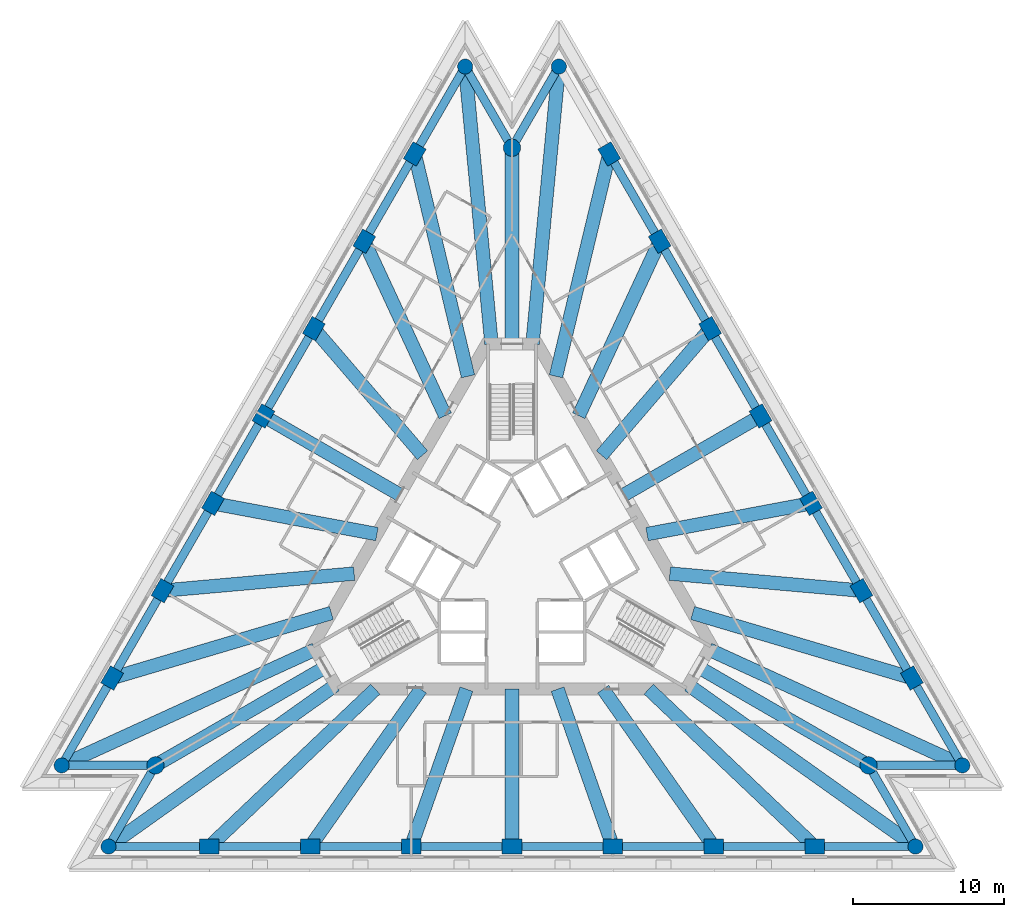
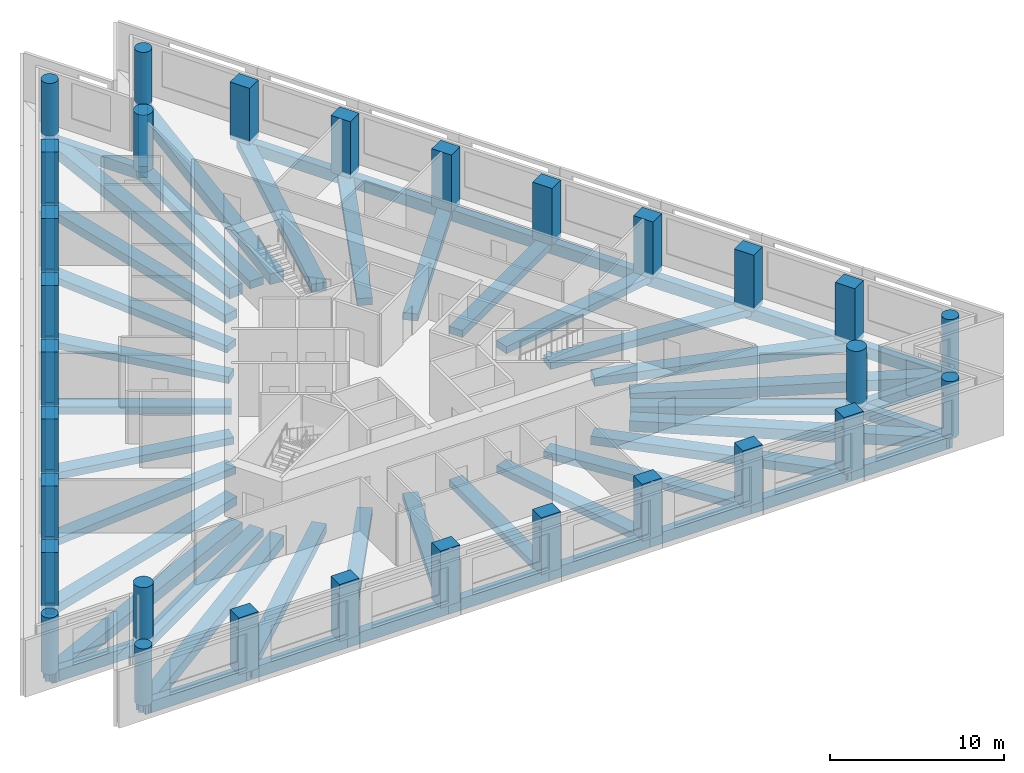
# One storey, part 1 of 9: 59 beams, 30 columns.
"""IFC4 building model written with IfcOpenShell, lengths in metres."""

from ifc_helpers import new_model, si_unit, direction, frame, origin, origin_2d, place, context, subcontext, project, spatial, rectangle, circle, extrude, material, material_profile, profile_set, type_object, element, save


model = new_model("IFC4")

# Units and contexts
model_context = context("Model", 3, precision=1e-05, world=origin(), true_north=direction((0.0, 1.0)))
body_context = subcontext(model_context, "Body", "Model", "MODEL_VIEW")
ifc_project = project(units=[si_unit("LENGTHUNIT", "METRE"), si_unit("AREAUNIT", "SQUARE_METRE"), si_unit("VOLUMEUNIT", "CUBIC_METRE"), si_unit("PLANEANGLEUNIT", "RADIAN"), si_unit("MASSUNIT", "GRAM", prefix="KILO")], contexts=[model_context])

# Site, building, storey
site_placement = place(None, origin())
site = spatial("IfcSite", under=ifc_project, at=site_placement, CompositionType="ELEMENT")
building_placement = place(site_placement, origin())
building = spatial("IfcBuilding", under=site, at=building_placement, Name="Triada Interchange Tower", CompositionType="ELEMENT")
storey_placement = place(building_placement, frame((0.0, 0.0, 144.300048828125)))
storey = spatial("IfcBuildingStorey", under=building, at=storey_placement, Name="L33", CompositionType="ELEMENT", Elevation=144.300048828125)

# Columns
ifc_material_1 = material(Name="Concrete C60/75", Category="concrete")
ifc_material_profile_1 = material_profile(ifc_material_1, rectangle(XDim=1.300048828125, YDim=1.0, at=origin_2d()), Name="RC 1300x1000")
ifc_profile_set_1 = profile_set([ifc_material_profile_1], Name="Concrete C60/75")
column_type_1 = type_object("IfcColumnType", Name="Column B face RC 1300x1000", PredefinedType="COLUMN", material=ifc_profile_set_1)
for number, where, z_axis, x_axis, name in (
    (1, (-6.452880859375, 26.89990234375, -0.300048828125), (0.0, 0.0, 1.0), (0.5, 0.866025403784, 0.0), "Column CB02 L33"),
    (2, (-9.798095703125, 21.10693359375, -0.300048828125), (0.0, 0.0, 1.0), (0.5, 0.866025403784, 0.0), "Column CB03 L33"),
    (3, (-13.14306640625, 15.31298828125, -0.300048828125), (0.0, 0.0, 1.0), (0.5, 0.866025403784, 0.0), "Column CB04 L33"),
    (4, (-16.488037109375, 9.52001953125, -0.300048828125), (0.0, 0.0, 1.0), (0.5, 0.866025403784, 0.0), "Column CB05 L33"),
    (5, (-19.8330078125, 3.72607421875, -0.300048828125), (0.0, 0.0, 1.0), (0.5, 0.866025403784, 0.0), "Column CB06 L33"),
    (6, (-23.177978515625, -2.068115234375, -0.300048828125), (0.0, 0.0, 1.0), (0.5, 0.866025403784, 0.0), "Column CB07 L33"),
    (7, (-26.52294921875, -7.861083984375, -0.300048828125), (0.0, 0.0, 1.0), (0.5, 0.866025403784, 0.0), "Column CB08 L33"),
    (8, (-20.070068359375, -19.0390625, -0.300048828125), (0.0, 0.0, 1.0), (1.0, 0.0, 0.0), "Column CB11 L33"),
    (9, (-13.3798828125, -19.0390625, -0.300048828125), (0.0, 0.0, 1.0), (1.0, 0.0, 0.0), "Column CB12 L33"),
    (10, (-6.68994140625, -19.0390625, -0.300048828125), (0.0, 0.0, 1.0), (1.0, 0.0, 0.0), "Column CB13 L33"),
    (11, (0.0, -19.0390625, -0.300048828125), (0.0, 0.0, 1.0), (1.0, 0.0, 0.0), "Column CB14 L33"),
    (12, (6.68994140625, -19.0390625, -0.300048828125), (0.0, 0.0, 1.0), (1.0, 0.0, 0.0), "Column CB15 L33"),
    (13, (13.3798828125, -19.0390625, -0.300048828125), (0.0, 0.0, 1.0), (1.0, 0.0, 0.0), "Column CB16 L33"),
    (14, (20.070068359375, -19.0390625, -0.300048828125), (0.0, 0.0, 1.0), (1.0, 0.0, 0.0), "Column CB17 L33"),
    (15, (26.52294921875, -7.861083984375, -0.300048828125), (0.0, 0.0, 1.0), (-0.5, 0.866025403784, 0.0), "Column CB20 L33"),
    (16, (23.177978515625, -2.068115234375, -0.300048828125), (0.0, 0.0, 1.0), (-0.5, 0.866025403784, 0.0), "Column CB21 L33"),
    (17, (19.8330078125, 3.72607421875, -0.300048828125), (0.0, 0.0, 1.0), (-0.5, 0.866025403784, 0.0), "Column CB22 L33"),
    (18, (16.488037109375, 9.52001953125, -0.300048828125), (0.0, 0.0, 1.0), (-0.5, 0.866025403784, 0.0), "Column CB23 L33"),
    (19, (13.14306640625, 15.31298828125, -0.300048828125), (0.0, 0.0, 1.0), (-0.5, 0.866025403784, 0.0), "Column CB24 L33"),
    (20, (9.798095703125, 21.10693359375, -0.300048828125), (0.0, 0.0, 1.0), (-0.5, 0.866025403784, 0.0), "Column CB25 L33"),
    (21, (6.452880859375, 26.89990234375, -0.300048828125), (0.0, 0.0, 1.0), (-0.5, 0.866025403784, 0.0), "Column CB26 L33"),
):
    element("IfcColumn", number, at=place(storey_placement, frame(where, z_axis=z_axis, x_axis=x_axis)), inside=storey, type_object=column_type_1, Name=name, PredefinedType="COLUMN", context=body_context, shape_type="SweptSolid", body=[
        extrude(rectangle(XDim=1.300048828125, YDim=1.0, at=origin_2d()), origin(), (0.0, 0.0, 1.0), 4.0),
    ])
ifc_material_profile_2 = material_profile(ifc_material_1, circle(Radius=0.5, at=origin_2d()), Name="RC D1000")
ifc_profile_set_2 = profile_set([ifc_material_profile_2], Name="Concrete C60/75")
column_type_2 = type_object("IfcColumnType", Name="End column B RC D1000", PredefinedType="COLUMN", material=ifc_profile_set_2)
for number, where, z_axis, x_axis, name in (
    (22, (-3.10791015625, 32.694091796875, -0.300048828125), (0.0, 0.0, 1.0), (0.5, 0.866025403784, 0.0), "Column CB01 L33"),
    (23, (-29.867919921875, -13.655029296875, -0.300048828125), (0.0, 0.0, 1.0), (0.5, 0.866025403784, 0.0), "Column CB09 L33"),
    (24, (-26.760009765625, -19.0390625, -0.300048828125), (0.0, 0.0, 1.0), (1.0, 0.0, 0.0), "Column CB10 L33"),
    (25, (26.760009765625, -19.0390625, -0.300048828125), (0.0, 0.0, 1.0), (1.0, 0.0, 0.0), "Column CB18 L33"),
    (26, (29.867919921875, -13.655029296875, -0.300048828125), (0.0, 0.0, 1.0), (-0.5, 0.866025403784, 0.0), "Column CB19 L33"),
    (27, (3.10791015625, 32.694091796875, -0.300048828125), (0.0, 0.0, 1.0), (-0.5, 0.866025403784, 0.0), "Column CB27 L33"),
):
    element("IfcColumn", number, at=place(storey_placement, frame(where, z_axis=z_axis, x_axis=x_axis)), inside=storey, type_object=column_type_2, Name=name, PredefinedType="COLUMN", context=body_context, shape_type="SweptSolid", body=[
        extrude(circle(Radius=0.5, at=origin_2d()), origin(), (0.0, 0.0, 1.0), 4.0),
    ])
ifc_material_profile_3 = material_profile(ifc_material_1, circle(Radius=0.574951171875, at=origin_2d()), Name="RC D1150")
ifc_profile_set_3 = profile_set([ifc_material_profile_3], Name="Concrete C60/75")
column_type_3 = type_object("IfcColumnType", Name="Mega column B RC D1150", PredefinedType="COLUMN", material=ifc_profile_set_3)
for number, where, z_axis, x_axis, name in (
    (28, (0.0, 27.31103515625, -0.300048828125), (0.0, 0.0, 1.0), (1.0, 0.0, 0.0), "Column MB1 L33"),
    (29, (-23.652099609375, -13.655029296875, -0.300048828125), (0.0, 0.0, 1.0), (1.0, 0.0, 0.0), "Column MB2 L33"),
    (30, (23.652099609375, -13.655029296875, -0.300048828125), (0.0, 0.0, 1.0), (1.0, 0.0, 0.0), "Column MB3 L33"),
):
    element("IfcColumn", number, at=place(storey_placement, frame(where, z_axis=z_axis, x_axis=x_axis)), inside=storey, type_object=column_type_3, Name=name, PredefinedType="COLUMN", context=body_context, shape_type="SweptSolid", body=[
        extrude(circle(Radius=0.574951171875, at=origin_2d()), origin(), (0.0, 0.0, 1.0), 4.0),
    ])

# Beams
ifc_material_2 = material(Name="Concrete C50/60", Category="concrete")
ifc_material_profile_4 = material_profile(ifc_material_2, rectangle(XDim=0.89990234375, YDim=0.5, at=origin_2d()), Name="RC 900x500")
ifc_profile_set_4 = profile_set([ifc_material_profile_4], Name="Concrete C50/60")
beam_type_1 = type_object("IfcBeamType", Name="Radial band beam B RC 900x500", PredefinedType="BEAM", material=ifc_profile_set_4)
beam_1_placement = place(storey_placement, frame((-9.798095703125, 21.10693359375, -0.550048828125), z_axis=(0.421039906422, -0.907042114348, 0.0), x_axis=(0.907042114348, 0.421039906422, 0.0)))
element("IfcBeam", 31, at=beam_1_placement, inside=storey, type_object=beam_type_1, Name="Radial band beam BB03 L33", PredefinedType="BEAM", context=body_context, shape_type="SweptSolid", body=[
    extrude(rectangle(XDim=0.89990234375, YDim=0.5, at=origin_2d()), origin(), (0.0, 0.0, 1.0), 12.759033203125),
])
beam_2_placement = place(storey_placement, frame((-13.14306640625, 15.31298828125, -0.550048828125), z_axis=(0.651285502913, -0.758832783751, 0.0), x_axis=(0.758832783751, 0.651285502913, 0.0)))
element("IfcBeam", 32, at=beam_2_placement, inside=storey, type_object=beam_type_1, Name="Radial band beam BB04 L33", PredefinedType="BEAM", context=body_context, shape_type="SweptSolid", body=[
    extrude(rectangle(XDim=0.89990234375, YDim=0.5, at=origin_2d()), origin(), (0.0, 0.0, 1.0), 11.064453125),
])
beam_3_placement = place(storey_placement, frame((-16.488037109375, 9.52001953125, -0.550048828125), z_axis=(0.86601968407, -0.500009906705, 0.0), x_axis=(0.500009906705, 0.86601968407, 0.0)))
element("IfcBeam", 33, at=beam_3_placement, inside=storey, type_object=beam_type_1, Name="Radial band beam BB05 L33", PredefinedType="BEAM", context=body_context, shape_type="SweptSolid", body=[
    extrude(rectangle(XDim=0.89990234375, YDim=0.5, at=origin_2d()), origin(), (0.0, 0.0, 1.0), 10.439697265625),
])
beam_4_placement = place(storey_placement, frame((-19.8330078125, 3.72607421875, -0.550048828125), z_axis=(0.982808184492, -0.184629554773, 0.0), x_axis=(0.184629554773, 0.982808184492, 0.0)))
element("IfcBeam", 34, at=beam_4_placement, inside=storey, type_object=beam_type_1, Name="Radial band beam BB06 L33", PredefinedType="BEAM", context=body_context, shape_type="SweptSolid", body=[
    extrude(rectangle(XDim=0.89990234375, YDim=0.5, at=origin_2d()), origin(), (0.0, 0.0, 1.0), 11.065185546875),
])
beam_5_placement = place(storey_placement, frame((-23.177978515625, -2.068115234375, -0.550048828125), z_axis=(0.996042546371, 0.088877701473, 0.0), x_axis=(-0.088877701473, 0.996042546371, 0.0)))
element("IfcBeam", 35, at=beam_5_placement, inside=storey, type_object=beam_type_1, Name="Radial band beam BB07 L33", PredefinedType="BEAM", context=body_context, shape_type="SweptSolid", body=[
    extrude(rectangle(XDim=0.89990234375, YDim=0.5, at=origin_2d()), origin(), (0.0, 0.0, 1.0), 12.759521484375),
])
beam_6_placement = place(storey_placement, frame((-13.3798828125, -19.0390625, -0.550048828125), z_axis=(0.574969058631, 0.818175153386, 0.0), x_axis=(-0.818175153386, 0.574969058631, 0.0)))
element("IfcBeam", 36, at=beam_6_placement, inside=storey, type_object=beam_type_1, Name="Radial band beam BB13 L33", PredefinedType="BEAM", context=body_context, shape_type="SweptSolid", body=[
    extrude(rectangle(XDim=0.89990234375, YDim=0.5, at=origin_2d()), origin(), (0.0, 0.0, 1.0), 12.7587890625),
])
beam_7_placement = place(storey_placement, frame((-6.68994140625, -19.0390625, -0.550048828125), z_axis=(0.331504042889, 0.943453798312, 0.0), x_axis=(-0.943453798312, 0.331504042889, 0.0)))
element("IfcBeam", 37, at=beam_7_placement, inside=storey, type_object=beam_type_1, Name="Radial band beam BB14 L33", PredefinedType="BEAM", context=body_context, shape_type="SweptSolid", body=[
    extrude(rectangle(XDim=0.89990234375, YDim=0.5, at=origin_2d()), origin(), (0.0, 0.0, 1.0), 11.064697265625),
])
beam_8_placement = place(storey_placement, frame((0.0, -19.0390625, -0.550048828125), z_axis=(0.0, 1.0, 0.0), x_axis=(-1.0, 0.0, 0.0)))
element("IfcBeam", 38, at=beam_8_placement, inside=storey, type_object=beam_type_1, Name="Radial band beam BB15 L33", PredefinedType="BEAM", context=body_context, shape_type="SweptSolid", body=[
    extrude(rectangle(XDim=0.89990234375, YDim=0.5, at=origin_2d()), origin(), (0.0, 0.0, 1.0), 10.43896484375),
])
beam_9_placement = place(storey_placement, frame((6.68994140625, -19.0390625, -0.550048828125), z_axis=(-0.331504042889, 0.943453798312, 0.0), x_axis=(-0.943453798312, -0.331504042889, 0.0)))
element("IfcBeam", 39, at=beam_9_placement, inside=storey, type_object=beam_type_1, Name="Radial band beam BB16 L33", PredefinedType="BEAM", context=body_context, shape_type="SweptSolid", body=[
    extrude(rectangle(XDim=0.89990234375, YDim=0.5, at=origin_2d()), origin(), (0.0, 0.0, 1.0), 11.064697265625),
])
beam_10_placement = place(storey_placement, frame((13.3798828125, -19.0390625, -0.550048828125), z_axis=(-0.574969058631, 0.818175153386, 0.0), x_axis=(-0.818175153386, -0.574969058631, 0.0)))
element("IfcBeam", 40, at=beam_10_placement, inside=storey, type_object=beam_type_1, Name="Radial band beam BB17 L33", PredefinedType="BEAM", context=body_context, shape_type="SweptSolid", body=[
    extrude(rectangle(XDim=0.89990234375, YDim=0.5, at=origin_2d()), origin(), (0.0, 0.0, 1.0), 12.7587890625),
])
beam_11_placement = place(storey_placement, frame((23.177978515625, -2.068115234375, -0.550048828125), z_axis=(-0.996042546371, 0.088877701473, 0.0), x_axis=(-0.088877701473, -0.996042546371, 0.0)))
element("IfcBeam", 41, at=beam_11_placement, inside=storey, type_object=beam_type_1, Name="Radial band beam BB23 L33", PredefinedType="BEAM", context=body_context, shape_type="SweptSolid", body=[
    extrude(rectangle(XDim=0.89990234375, YDim=0.5, at=origin_2d()), origin(), (0.0, 0.0, 1.0), 12.759521484375),
])
beam_12_placement = place(storey_placement, frame((19.8330078125, 3.72607421875, -0.550048828125), z_axis=(-0.982808184492, -0.184629554773, 0.0), x_axis=(0.184629554773, -0.982808184492, 0.0)))
element("IfcBeam", 42, at=beam_12_placement, inside=storey, type_object=beam_type_1, Name="Radial band beam BB24 L33", PredefinedType="BEAM", context=body_context, shape_type="SweptSolid", body=[
    extrude(rectangle(XDim=0.89990234375, YDim=0.5, at=origin_2d()), origin(), (0.0, 0.0, 1.0), 11.065185546875),
])
beam_13_placement = place(storey_placement, frame((16.488037109375, 9.52001953125, -0.550048828125), z_axis=(-0.86601968407, -0.500009906705, 0.0), x_axis=(0.500009906705, -0.86601968407, 0.0)))
element("IfcBeam", 43, at=beam_13_placement, inside=storey, type_object=beam_type_1, Name="Radial band beam BB25 L33", PredefinedType="BEAM", context=body_context, shape_type="SweptSolid", body=[
    extrude(rectangle(XDim=0.89990234375, YDim=0.5, at=origin_2d()), origin(), (0.0, 0.0, 1.0), 10.439697265625),
])
beam_14_placement = place(storey_placement, frame((13.14306640625, 15.31298828125, -0.550048828125), z_axis=(-0.651285502913, -0.758832783751, 0.0), x_axis=(0.758832783751, -0.651285502913, 0.0)))
element("IfcBeam", 44, at=beam_14_placement, inside=storey, type_object=beam_type_1, Name="Radial band beam BB26 L33", PredefinedType="BEAM", context=body_context, shape_type="SweptSolid", body=[
    extrude(rectangle(XDim=0.89990234375, YDim=0.5, at=origin_2d()), origin(), (0.0, 0.0, 1.0), 11.064453125),
])
beam_15_placement = place(storey_placement, frame((9.798095703125, 21.10693359375, -0.550048828125), z_axis=(-0.421039906422, -0.907042114348, 0.0), x_axis=(0.907042114348, -0.421039906422, 0.0)))
element("IfcBeam", 45, at=beam_15_placement, inside=storey, type_object=beam_type_1, Name="Radial band beam BB27 L33", PredefinedType="BEAM", context=body_context, shape_type="SweptSolid", body=[
    extrude(rectangle(XDim=0.89990234375, YDim=0.5, at=origin_2d()), origin(), (0.0, 0.0, 1.0), 12.759033203125),
])
ifc_material_profile_5 = material_profile(ifc_material_2, rectangle(XDim=0.89990234375, YDim=0.550048828125, at=origin_2d()), Name="RC 900x550")
ifc_profile_set_5 = profile_set([ifc_material_profile_5], Name="Concrete C50/60")
beam_type_2 = type_object("IfcBeamType", Name="Radial band beam B RC 900x550", PredefinedType="BEAM", material=ifc_profile_set_5)
for number, where, z_axis, x_axis, name in (
    (46, (-23.652099609375, -13.655029296875, -0.574951171875), (0.866041851207, 0.499971511146, 0.0), (-0.499971511146, 0.866041851207, 0.0), "Radial band beam BB10 L33"),
    (47, (23.652099609375, -13.655029296875, -0.574951171875), (-0.866041851207, 0.499971511146, 0.0), (-0.499971511146, -0.866041851207, 0.0), "Radial band beam BB20 L33"),
    (48, (0.0, 27.31103515625, -0.574951171875), (0.0, -1.0, 0.0), (1.0, 0.0, 0.0), "Radial band beam BB30 L33"),
):
    element("IfcBeam", number, at=place(storey_placement, frame(where, z_axis=z_axis, x_axis=x_axis)), inside=storey, type_object=beam_type_2, Name=name, PredefinedType="BEAM", context=body_context, shape_type="SweptSolid", body=[
        extrude(rectangle(XDim=0.89990234375, YDim=0.550048828125, at=origin_2d()), origin(), (0.0, 0.0, 1.0), 13.010986328125),
    ])
ifc_material_profile_6 = material_profile(ifc_material_2, rectangle(XDim=0.89990234375, YDim=0.60009765625, at=origin_2d()), Name="RC 900x600")
ifc_profile_set_6 = profile_set([ifc_material_profile_6], Name="Concrete C50/60")
beam_type_3 = type_object("IfcBeamType", Name="Radial band beam B RC 900x600", PredefinedType="BEAM", material=ifc_profile_set_6)
beam_16_placement = place(storey_placement, frame((-6.452880859375, 26.89990234375, -0.60009765625), z_axis=(0.233253019082, -0.972416078173, 0.0), x_axis=(0.972416078173, 0.233253019082, 0.0)))
element("IfcBeam", 49, at=beam_16_placement, inside=storey, type_object=beam_type_3, Name="Radial band beam BB02 L33", PredefinedType="BEAM", context=body_context, shape_type="SweptSolid", body=[
    extrude(rectangle(XDim=0.89990234375, YDim=0.60009765625, at=origin_2d()), origin(), (0.0, 0.0, 1.0), 15.16748046875),
])
beam_17_placement = place(storey_placement, frame((-26.52294921875, -7.861083984375, -0.60009765625), z_axis=(0.958779599778, 0.284150803359, 0.0), x_axis=(-0.284150803359, 0.958779599778, 0.0)))
element("IfcBeam", 50, at=beam_17_placement, inside=storey, type_object=beam_type_3, Name="Radial band beam BB08 L33", PredefinedType="BEAM", context=body_context, shape_type="SweptSolid", body=[
    extrude(rectangle(XDim=0.89990234375, YDim=0.60009765625, at=origin_2d()), origin(), (0.0, 0.0, 1.0), 15.168212890625),
])
for number, where, z_axis, x_axis, name in (
    (51, (-20.070068359375, -19.0390625, -0.60009765625), (0.725492341972, 0.688230238902, 0.0), (-0.688230238902, 0.725492341972, 0.0), "Radial band beam BB12 L33"),
    (52, (20.070068359375, -19.0390625, -0.60009765625), (-0.725492341972, 0.688230238902, 0.0), (-0.688230238902, -0.725492341972, 0.0), "Radial band beam BB18 L33"),
):
    element("IfcBeam", number, at=place(storey_placement, frame(where, z_axis=z_axis, x_axis=x_axis)), inside=storey, type_object=beam_type_3, Name=name, PredefinedType="BEAM", context=body_context, shape_type="SweptSolid", body=[
        extrude(rectangle(XDim=0.89990234375, YDim=0.60009765625, at=origin_2d()), origin(), (0.0, 0.0, 1.0), 15.167724609375),
    ])
beam_18_placement = place(storey_placement, frame((26.52294921875, -7.861083984375, -0.60009765625), z_axis=(-0.958779599778, 0.284150803359, 0.0), x_axis=(-0.284150803359, -0.958779599778, 0.0)))
element("IfcBeam", 53, at=beam_18_placement, inside=storey, type_object=beam_type_3, Name="Radial band beam BB22 L33", PredefinedType="BEAM", context=body_context, shape_type="SweptSolid", body=[
    extrude(rectangle(XDim=0.89990234375, YDim=0.60009765625, at=origin_2d()), origin(), (0.0, 0.0, 1.0), 15.168212890625),
])
beam_19_placement = place(storey_placement, frame((6.452880859375, 26.89990234375, -0.60009765625), z_axis=(-0.233253019082, -0.972416078173, 0.0), x_axis=(0.972416078173, -0.233253019082, 0.0)))
element("IfcBeam", 54, at=beam_19_placement, inside=storey, type_object=beam_type_3, Name="Radial band beam BB28 L33", PredefinedType="BEAM", context=body_context, shape_type="SweptSolid", body=[
    extrude(rectangle(XDim=0.89990234375, YDim=0.60009765625, at=origin_2d()), origin(), (0.0, 0.0, 1.0), 15.16748046875),
])
ifc_material_profile_7 = material_profile(ifc_material_2, rectangle(XDim=0.89990234375, YDim=0.75, at=origin_2d()), Name="RC 900x750")
ifc_profile_set_7 = profile_set([ifc_material_profile_7], Name="Concrete C50/60")
beam_type_4 = type_object("IfcBeamType", Name="Radial band beam B RC 900x750", PredefinedType="BEAM", material=ifc_profile_set_7)
for number, where, z_axis, x_axis, name in (
    (55, (-3.10791015625, 32.694091796875, -0.675048828125), (0.094659440812, -0.995509713798, 0.0), (0.995509713798, 0.094659440812, 0.0), "Radial band beam BB01 L33"),
    (56, (-29.867919921875, -13.655029296875, -0.675048828125), (0.909447922526, 0.415817840182, 0.0), (-0.415817840182, 0.909447922526, 0.0), "Radial band beam BB09 L33"),
):
    element("IfcBeam", number, at=place(storey_placement, frame(where, z_axis=z_axis, x_axis=x_axis)), inside=storey, type_object=beam_type_4, Name=name, PredefinedType="BEAM", context=body_context, shape_type="SweptSolid", body=[
        extrude(rectangle(XDim=0.89990234375, YDim=0.75, at=origin_2d()), origin(), (0.0, 0.0, 1.0), 18.47705078125),
    ])
for number, where, z_axis, x_axis, name in (
    (57, (-26.760009765625, -19.0390625, -0.675048828125), (0.814808724717, 0.579729887211, 0.0), (-0.579729887211, 0.814808724717, 0.0), "Radial band beam BB11 L33"),
    (58, (26.760009765625, -19.0390625, -0.675048828125), (-0.814808724717, 0.579729887211, 0.0), (-0.579729887211, -0.814808724717, 0.0), "Radial band beam BB19 L33"),
):
    element("IfcBeam", number, at=place(storey_placement, frame(where, z_axis=z_axis, x_axis=x_axis)), inside=storey, type_object=beam_type_4, Name=name, PredefinedType="BEAM", context=body_context, shape_type="SweptSolid", body=[
        extrude(rectangle(XDim=0.89990234375, YDim=0.75, at=origin_2d()), origin(), (0.0, 0.0, 1.0), 18.477783203125),
    ])
for number, where, z_axis, x_axis, name in (
    (59, (29.867919921875, -13.655029296875, -0.675048828125), (-0.909447922526, 0.415817840182, 0.0), (-0.415817840182, -0.909447922526, 0.0), "Radial band beam BB21 L33"),
    (60, (3.10791015625, 32.694091796875, -0.675048828125), (-0.094659440812, -0.995509713798, 0.0), (0.995509713798, -0.094659440812, 0.0), "Radial band beam BB29 L33"),
):
    element("IfcBeam", number, at=place(storey_placement, frame(where, z_axis=z_axis, x_axis=x_axis)), inside=storey, type_object=beam_type_4, Name=name, PredefinedType="BEAM", context=body_context, shape_type="SweptSolid", body=[
        extrude(rectangle(XDim=0.89990234375, YDim=0.75, at=origin_2d()), origin(), (0.0, 0.0, 1.0), 18.47705078125),
    ])
ifc_material_profile_8 = material_profile(ifc_material_2, rectangle(XDim=0.550048828125, YDim=0.800048828125, at=origin_2d()), Name="RC 550x800")
ifc_profile_set_8 = profile_set([ifc_material_profile_8], Name="Concrete C50/60")
beam_type_5 = type_object("IfcBeamType", Name="Spandrel beam B RC 550x800", PredefinedType="BEAM", material=ifc_profile_set_8)
beam_20_placement = place(storey_placement, frame((-3.10791015625, 32.694091796875, -0.699951171875), z_axis=(-0.499965681329, -0.866045216772, 0.0), x_axis=(0.866045216772, -0.499965681329, 0.0)))
element("IfcBeam", 61, at=beam_20_placement, inside=storey, type_object=beam_type_5, Name="Spandrel beam EB01 L33", PredefinedType="BEAM", context=body_context, shape_type="SweptSolid", body=[
    extrude(rectangle(XDim=0.550048828125, YDim=0.800048828125, at=origin_2d()), origin(), (0.0, 0.0, 1.0), 6.6904296875),
])
beam_21_placement = place(storey_placement, frame((-6.452880859375, 26.89990234375, -0.699951171875), z_axis=(-0.500072064175, -0.865983793516, 0.0), x_axis=(0.865983793516, -0.500072064175, 0.0)))
element("IfcBeam", 62, at=beam_21_placement, inside=storey, type_object=beam_type_5, Name="Spandrel beam EB02 L33", PredefinedType="BEAM", context=body_context, shape_type="SweptSolid", body=[
    extrude(rectangle(XDim=0.550048828125, YDim=0.800048828125, at=origin_2d()), origin(), (0.0, 0.0, 1.0), 6.689453125),
])
beam_22_placement = place(storey_placement, frame((-9.798095703125, 21.10693359375, -0.699951171875), z_axis=(-0.499981482168, -0.866036094796, 0.0), x_axis=(0.866036094796, -0.499981482168, 0.0)))
element("IfcBeam", 63, at=beam_22_placement, inside=storey, type_object=beam_type_5, Name="Spandrel beam EB03 L33", PredefinedType="BEAM", context=body_context, shape_type="SweptSolid", body=[
    extrude(rectangle(XDim=0.550048828125, YDim=0.800048828125, at=origin_2d()), origin(), (0.0, 0.0, 1.0), 6.690185546875),
])
beam_23_placement = place(storey_placement, frame((-13.14306640625, 15.31298828125, -0.699951171875), z_axis=(-0.500044693844, -0.865999598244, 0.0), x_axis=(0.865999598244, -0.500044693844, 0.0)))
element("IfcBeam", 64, at=beam_23_placement, inside=storey, type_object=beam_type_5, Name="Spandrel beam EB04 L33", PredefinedType="BEAM", context=body_context, shape_type="SweptSolid", body=[
    extrude(rectangle(XDim=0.550048828125, YDim=0.800048828125, at=origin_2d()), origin(), (0.0, 0.0, 1.0), 6.689453125),
])
beam_24_placement = place(storey_placement, frame((-16.488037109375, 9.52001953125, -0.699951171875), z_axis=(-0.499981482168, -0.866036094796, 0.0), x_axis=(0.866036094796, -0.499981482168, 0.0)))
element("IfcBeam", 65, at=beam_24_placement, inside=storey, type_object=beam_type_5, Name="Spandrel beam EB05 L33", PredefinedType="BEAM", context=body_context, shape_type="SweptSolid", body=[
    extrude(rectangle(XDim=0.550048828125, YDim=0.800048828125, at=origin_2d()), origin(), (0.0, 0.0, 1.0), 6.690185546875),
])
beam_25_placement = place(storey_placement, frame((-19.8330078125, 3.72607421875, -0.699951171875), z_axis=(-0.499965681329, -0.866045216772, 0.0), x_axis=(0.866045216772, -0.499965681329, 0.0)))
element("IfcBeam", 66, at=beam_25_placement, inside=storey, type_object=beam_type_5, Name="Spandrel beam EB06 L33", PredefinedType="BEAM", context=body_context, shape_type="SweptSolid", body=[
    extrude(rectangle(XDim=0.550048828125, YDim=0.800048828125, at=origin_2d()), origin(), (0.0, 0.0, 1.0), 6.6904296875),
])
beam_26_placement = place(storey_placement, frame((-23.177978515625, -2.068115234375, -0.699951171875), z_axis=(-0.500044693844, -0.865999598244, 0.0), x_axis=(0.865999598244, -0.500044693844, 0.0)))
element("IfcBeam", 67, at=beam_26_placement, inside=storey, type_object=beam_type_5, Name="Spandrel beam EB07 L33", PredefinedType="BEAM", context=body_context, shape_type="SweptSolid", body=[
    extrude(rectangle(XDim=0.550048828125, YDim=0.800048828125, at=origin_2d()), origin(), (0.0, 0.0, 1.0), 6.689453125),
])
beam_27_placement = place(storey_placement, frame((-26.52294921875, -7.861083984375, -0.699951171875), z_axis=(-0.499981482168, -0.866036094796, 0.0), x_axis=(0.866036094796, -0.499981482168, 0.0)))
element("IfcBeam", 68, at=beam_27_placement, inside=storey, type_object=beam_type_5, Name="Spandrel beam EB08 L33", PredefinedType="BEAM", context=body_context, shape_type="SweptSolid", body=[
    extrude(rectangle(XDim=0.550048828125, YDim=0.800048828125, at=origin_2d()), origin(), (0.0, 0.0, 1.0), 6.690185546875),
])
beam_28_placement = place(storey_placement, frame((-29.867919921875, -13.655029296875, -0.699951171875), z_axis=(1.0, 0.0, 0.0), x_axis=(0.0, 1.0, 0.0)))
element("IfcBeam", 69, at=beam_28_placement, inside=storey, type_object=beam_type_5, Name="Spandrel beam EB09 L33", PredefinedType="BEAM", context=body_context, shape_type="SweptSolid", body=[
    extrude(rectangle(XDim=0.550048828125, YDim=0.800048828125, at=origin_2d()), origin(), (0.0, 0.0, 1.0), 6.2158203125),
])
beam_29_placement = place(storey_placement, frame((-23.652099609375, -13.655029296875, -0.699951171875), z_axis=(-0.499932092729, -0.866064606516, 0.0), x_axis=(0.866064606516, -0.499932092729, 0.0)))
element("IfcBeam", 70, at=beam_29_placement, inside=storey, type_object=beam_type_5, Name="Spandrel beam EB10 L33", PredefinedType="BEAM", context=body_context, shape_type="SweptSolid", body=[
    extrude(rectangle(XDim=0.550048828125, YDim=0.800048828125, at=origin_2d()), origin(), (0.0, 0.0, 1.0), 6.216552734375),
])
beam_30_placement = place(storey_placement, frame((-26.760009765625, -19.0390625, -0.699951171875), z_axis=(1.0, 0.0, 0.0), x_axis=(0.0, 1.0, 0.0)))
element("IfcBeam", 71, at=beam_30_placement, inside=storey, type_object=beam_type_5, Name="Spandrel beam EB11 L33", PredefinedType="BEAM", context=body_context, shape_type="SweptSolid", body=[
    extrude(rectangle(XDim=0.550048828125, YDim=0.800048828125, at=origin_2d()), origin(), (0.0, 0.0, 1.0), 6.68994140625),
])
beam_31_placement = place(storey_placement, frame((-20.070068359375, -19.0390625, -0.699951171875), z_axis=(1.0, 0.0, 0.0), x_axis=(0.0, 1.0, 0.0)))
element("IfcBeam", 72, at=beam_31_placement, inside=storey, type_object=beam_type_5, Name="Spandrel beam EB12 L33", PredefinedType="BEAM", context=body_context, shape_type="SweptSolid", body=[
    extrude(rectangle(XDim=0.550048828125, YDim=0.800048828125, at=origin_2d()), origin(), (0.0, 0.0, 1.0), 6.690185546875),
])
for number, where, z_axis, x_axis, name in (
    (73, (-13.3798828125, -19.0390625, -0.699951171875), (1.0, 0.0, 0.0), (0.0, 1.0, 0.0), "Spandrel beam EB13 L33"),
    (74, (-6.68994140625, -19.0390625, -0.699951171875), (1.0, 0.0, 0.0), (0.0, 1.0, 0.0), "Spandrel beam EB14 L33"),
    (75, (0.0, -19.0390625, -0.699951171875), (1.0, 0.0, 0.0), (0.0, 1.0, 0.0), "Spandrel beam EB15 L33"),
    (76, (6.68994140625, -19.0390625, -0.699951171875), (1.0, 0.0, 0.0), (0.0, 1.0, 0.0), "Spandrel beam EB16 L33"),
):
    element("IfcBeam", number, at=place(storey_placement, frame(where, z_axis=z_axis, x_axis=x_axis)), inside=storey, type_object=beam_type_5, Name=name, PredefinedType="BEAM", context=body_context, shape_type="SweptSolid", body=[
        extrude(rectangle(XDim=0.550048828125, YDim=0.800048828125, at=origin_2d()), origin(), (0.0, 0.0, 1.0), 6.68994140625),
    ])
beam_32_placement = place(storey_placement, frame((13.3798828125, -19.0390625, -0.699951171875), z_axis=(1.0, 0.0, 0.0), x_axis=(0.0, 1.0, 0.0)))
element("IfcBeam", 77, at=beam_32_placement, inside=storey, type_object=beam_type_5, Name="Spandrel beam EB17 L33", PredefinedType="BEAM", context=body_context, shape_type="SweptSolid", body=[
    extrude(rectangle(XDim=0.550048828125, YDim=0.800048828125, at=origin_2d()), origin(), (0.0, 0.0, 1.0), 6.690185546875),
])
beam_33_placement = place(storey_placement, frame((20.070068359375, -19.0390625, -0.699951171875), z_axis=(1.0, 0.0, 0.0), x_axis=(0.0, 1.0, 0.0)))
element("IfcBeam", 78, at=beam_33_placement, inside=storey, type_object=beam_type_5, Name="Spandrel beam EB18 L33", PredefinedType="BEAM", context=body_context, shape_type="SweptSolid", body=[
    extrude(rectangle(XDim=0.550048828125, YDim=0.800048828125, at=origin_2d()), origin(), (0.0, 0.0, 1.0), 6.68994140625),
])
beam_34_placement = place(storey_placement, frame((26.760009765625, -19.0390625, -0.699951171875), z_axis=(-0.499932092729, 0.866064606516, 0.0), x_axis=(-0.866064606516, -0.499932092729, 0.0)))
element("IfcBeam", 79, at=beam_34_placement, inside=storey, type_object=beam_type_5, Name="Spandrel beam EB19 L33", PredefinedType="BEAM", context=body_context, shape_type="SweptSolid", body=[
    extrude(rectangle(XDim=0.550048828125, YDim=0.800048828125, at=origin_2d()), origin(), (0.0, 0.0, 1.0), 6.216552734375),
])
beam_35_placement = place(storey_placement, frame((23.652099609375, -13.655029296875, -0.699951171875), z_axis=(1.0, 0.0, 0.0), x_axis=(0.0, 1.0, 0.0)))
element("IfcBeam", 80, at=beam_35_placement, inside=storey, type_object=beam_type_5, Name="Spandrel beam EB20 L33", PredefinedType="BEAM", context=body_context, shape_type="SweptSolid", body=[
    extrude(rectangle(XDim=0.550048828125, YDim=0.800048828125, at=origin_2d()), origin(), (0.0, 0.0, 1.0), 6.2158203125),
])
beam_36_placement = place(storey_placement, frame((29.867919921875, -13.655029296875, -0.699951171875), z_axis=(-0.499981482168, 0.866036094796, 0.0), x_axis=(-0.866036094796, -0.499981482168, 0.0)))
element("IfcBeam", 81, at=beam_36_placement, inside=storey, type_object=beam_type_5, Name="Spandrel beam EB21 L33", PredefinedType="BEAM", context=body_context, shape_type="SweptSolid", body=[
    extrude(rectangle(XDim=0.550048828125, YDim=0.800048828125, at=origin_2d()), origin(), (0.0, 0.0, 1.0), 6.690185546875),
])
beam_37_placement = place(storey_placement, frame((26.52294921875, -7.861083984375, -0.699951171875), z_axis=(-0.500044693844, 0.865999598244, 0.0), x_axis=(-0.865999598244, -0.500044693844, 0.0)))
element("IfcBeam", 82, at=beam_37_placement, inside=storey, type_object=beam_type_5, Name="Spandrel beam EB22 L33", PredefinedType="BEAM", context=body_context, shape_type="SweptSolid", body=[
    extrude(rectangle(XDim=0.550048828125, YDim=0.800048828125, at=origin_2d()), origin(), (0.0, 0.0, 1.0), 6.689453125),
])
beam_38_placement = place(storey_placement, frame((23.177978515625, -2.068115234375, -0.699951171875), z_axis=(-0.499965681329, 0.866045216772, 0.0), x_axis=(-0.866045216772, -0.499965681329, 0.0)))
element("IfcBeam", 83, at=beam_38_placement, inside=storey, type_object=beam_type_5, Name="Spandrel beam EB23 L33", PredefinedType="BEAM", context=body_context, shape_type="SweptSolid", body=[
    extrude(rectangle(XDim=0.550048828125, YDim=0.800048828125, at=origin_2d()), origin(), (0.0, 0.0, 1.0), 6.6904296875),
])
beam_39_placement = place(storey_placement, frame((19.8330078125, 3.72607421875, -0.699951171875), z_axis=(-0.499981482168, 0.866036094796, 0.0), x_axis=(-0.866036094796, -0.499981482168, 0.0)))
element("IfcBeam", 84, at=beam_39_placement, inside=storey, type_object=beam_type_5, Name="Spandrel beam EB24 L33", PredefinedType="BEAM", context=body_context, shape_type="SweptSolid", body=[
    extrude(rectangle(XDim=0.550048828125, YDim=0.800048828125, at=origin_2d()), origin(), (0.0, 0.0, 1.0), 6.690185546875),
])
beam_40_placement = place(storey_placement, frame((16.488037109375, 9.52001953125, -0.699951171875), z_axis=(-0.500044693844, 0.865999598244, 0.0), x_axis=(-0.865999598244, -0.500044693844, 0.0)))
element("IfcBeam", 85, at=beam_40_placement, inside=storey, type_object=beam_type_5, Name="Spandrel beam EB25 L33", PredefinedType="BEAM", context=body_context, shape_type="SweptSolid", body=[
    extrude(rectangle(XDim=0.550048828125, YDim=0.800048828125, at=origin_2d()), origin(), (0.0, 0.0, 1.0), 6.689453125),
])
beam_41_placement = place(storey_placement, frame((13.14306640625, 15.31298828125, -0.699951171875), z_axis=(-0.499981482168, 0.866036094796, 0.0), x_axis=(-0.866036094796, -0.499981482168, 0.0)))
element("IfcBeam", 86, at=beam_41_placement, inside=storey, type_object=beam_type_5, Name="Spandrel beam EB26 L33", PredefinedType="BEAM", context=body_context, shape_type="SweptSolid", body=[
    extrude(rectangle(XDim=0.550048828125, YDim=0.800048828125, at=origin_2d()), origin(), (0.0, 0.0, 1.0), 6.690185546875),
])
beam_42_placement = place(storey_placement, frame((9.798095703125, 21.10693359375, -0.699951171875), z_axis=(-0.500072064175, 0.865983793516, 0.0), x_axis=(-0.865983793516, -0.500072064175, 0.0)))
element("IfcBeam", 87, at=beam_42_placement, inside=storey, type_object=beam_type_5, Name="Spandrel beam EB27 L33", PredefinedType="BEAM", context=body_context, shape_type="SweptSolid", body=[
    extrude(rectangle(XDim=0.550048828125, YDim=0.800048828125, at=origin_2d()), origin(), (0.0, 0.0, 1.0), 6.689453125),
])
for number, where, z_axis, x_axis, name in (
    (88, (3.10791015625, 32.694091796875, -0.699951171875), (-0.500000115317, -0.866025337206, 0.0), (0.866025337206, -0.500000115317, 0.0), "Spandrel beam EB29 L33"),
    (89, (0.0, 27.31103515625, -0.699951171875), (-0.500000115317, 0.866025337206, 0.0), (-0.866025337206, -0.500000115317, 0.0), "Spandrel beam EB30 L33"),
):
    element("IfcBeam", number, at=place(storey_placement, frame(where, z_axis=z_axis, x_axis=x_axis)), inside=storey, type_object=beam_type_5, Name=name, PredefinedType="BEAM", context=body_context, shape_type="SweptSolid", body=[
        extrude(rectangle(XDim=0.550048828125, YDim=0.800048828125, at=origin_2d()), origin(), (0.0, 0.0, 1.0), 6.2158203125),
    ])

save(model, "model.ifc")
